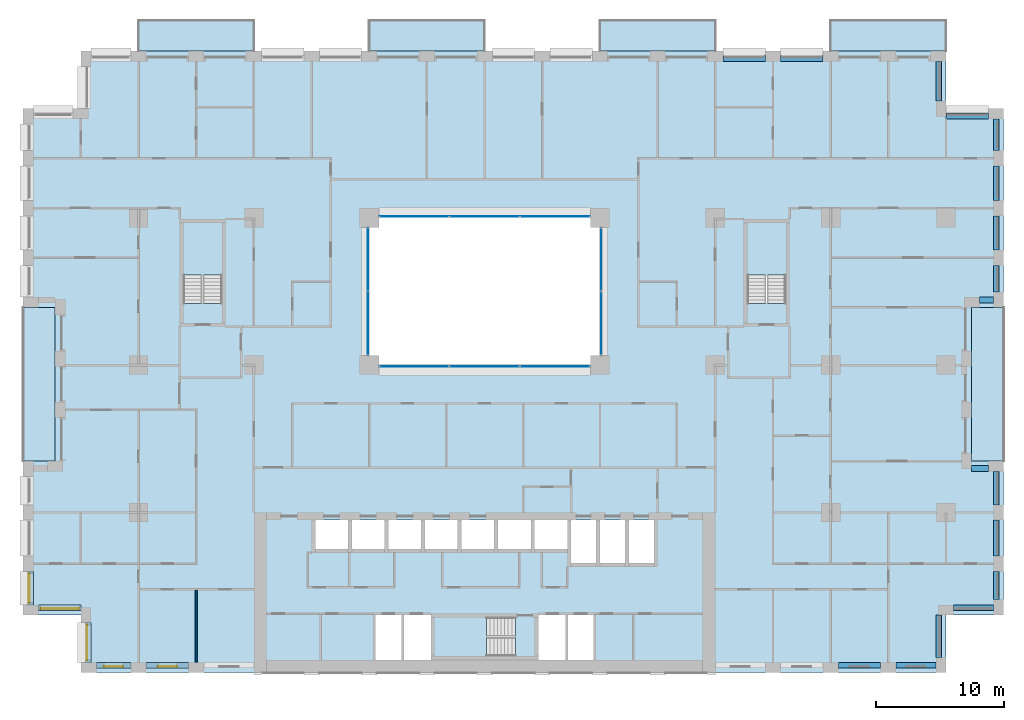
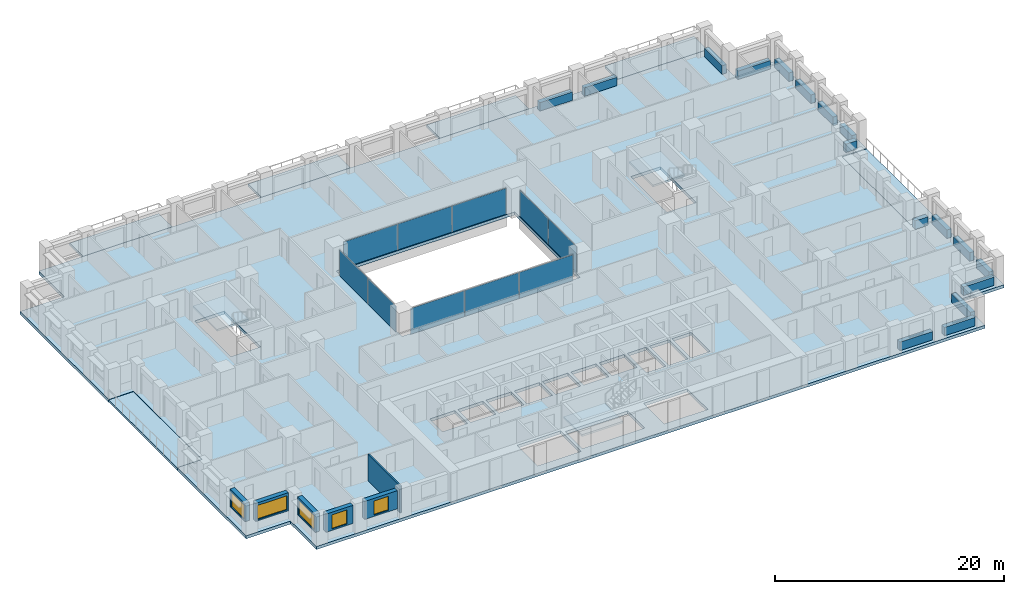
# One storey, part 8 of 19: 17 beams, 10 plates, 10 slabs, 6 walls, 5 windows, 5 openings, 7 elements without a shape of their own.
"""IFC4 building model written with IfcOpenShell, lengths in metres."""

from ifc_helpers import new_model, si_unit, direction, frame, frame_2d, origin, origin_2d, place, context, subcontext, project, spatial, polyline, rectangle, outline, extrude, material, layer, layer_set, material_profile, profile_set, type_object, element, fill, aggregate, save


model = new_model("IFC4")

# Units and contexts
model_context = context("Model", 3, precision=1e-05, world=origin(), true_north=direction((0.0, 1.0)))
body_context = subcontext(model_context, "Body", "Model", "MODEL_VIEW")
ifc_project = project(units=[si_unit("LENGTHUNIT", "METRE"), si_unit("AREAUNIT", "SQUARE_METRE"), si_unit("VOLUMEUNIT", "CUBIC_METRE"), si_unit("PLANEANGLEUNIT", "RADIAN"), si_unit("MASSUNIT", "GRAM", prefix="KILO")], contexts=[model_context])

# Site, building, storey
site_placement = place(None, origin())
site = spatial("IfcSite", under=ifc_project, at=site_placement, CompositionType="ELEMENT")
building_placement = place(site_placement, origin())
building = spatial("IfcBuilding", under=site, at=building_placement, Name="Brigalow Station Residences", CompositionType="ELEMENT")
storey_placement = place(building_placement, frame((0.0, 0.0, 25.800048828125)))
storey = spatial("IfcBuildingStorey", under=building, at=storey_placement, Name="L06", CompositionType="ELEMENT", Elevation=25.800048828125)

# Beams
ifc_material_1 = material(Name="Concrete C65", Category="concrete")
ifc_material_profile = material_profile(ifc_material_1, rectangle(XDim=0.449951171875, YDim=0.89990234375, at=origin_2d()), Name="RC450x900")
ifc_profile_set = profile_set([ifc_material_profile], Name="Concrete C65")
beam_type = type_object("IfcBeamType", Name="SPANDREL BEAM 450x900 C65", PredefinedType="SPANDREL", material=ifc_profile_set)
beam_1_placement = place(storey_placement, frame((63.60009765625, 0.574951171875, 0.449951171875), z_axis=(1.0, 0.0, 0.0), x_axis=(0.0, 1.0, 0.0)))
element("IfcBeam", 1, at=beam_1_placement, inside=storey, type_object=beam_type, Name="L06/spandrel/W-L06-7", PredefinedType="SPANDREL", context=body_context, shape_type="SweptSolid", body=[
    extrude(rectangle(XDim=0.449951171875, YDim=0.89990234375, at=origin_2d()), origin(), (0.0, 0.0, 1.0), 3.2998046875),
])
beam_2_placement = place(storey_placement, frame((68.10009765625, 0.574951171875, 0.449951171875), z_axis=(1.0, 0.0, 0.0), x_axis=(0.0, 1.0, 0.0)))
element("IfcBeam", 2, at=beam_2_placement, inside=storey, type_object=beam_type, Name="L06/spandrel/W-L06-8", PredefinedType="SPANDREL", context=body_context, shape_type="SweptSolid", body=[
    extrude(rectangle(XDim=0.449951171875, YDim=0.89990234375, at=origin_2d()), origin(), (0.0, 0.0, 1.0), 3.099853515625),
])
beam_3_placement = place(storey_placement, frame((71.425048828125, 1.199951171875, 0.449951171875), z_axis=(0.0, 1.0, 0.0), x_axis=(-1.0, 0.0, 0.0)))
element("IfcBeam", 3, at=beam_3_placement, inside=storey, type_object=beam_type, Name="L06/spandrel/W-L06-9", PredefinedType="SPANDREL", context=body_context, shape_type="SweptSolid", body=[
    extrude(rectangle(XDim=0.449951171875, YDim=0.89990234375, at=origin_2d()), origin(), (0.0, 0.0, 1.0), 3.300048828125),
])
beam_4_placement = place(storey_placement, frame((72.60009765625, 5.074951171875, 0.449951171875), z_axis=(1.0, 0.0, 0.0), x_axis=(0.0, 1.0, 0.0)))
element("IfcBeam", 4, at=beam_4_placement, inside=storey, type_object=beam_type, Name="L06/spandrel/W-L06-10", PredefinedType="SPANDREL", context=body_context, shape_type="SweptSolid", body=[
    extrude(rectangle(XDim=0.449951171875, YDim=0.89990234375, at=origin_2d()), origin(), (0.0, 0.0, 1.0), 3.099853515625),
])
beam_5_placement = place(storey_placement, frame((75.925048828125, 5.699951171875, 0.449951171875), z_axis=(0.0, 1.0, 0.0), x_axis=(-1.0, 0.0, 0.0)))
element("IfcBeam", 5, at=beam_5_placement, inside=storey, type_object=beam_type, Name="L06/spandrel/W-L06-11", PredefinedType="SPANDREL", context=body_context, shape_type="SweptSolid", body=[
    extrude(rectangle(XDim=0.449951171875, YDim=0.89990234375, at=origin_2d()), origin(), (0.0, 0.0, 1.0), 2.199951171875),
])
beam_6_placement = place(storey_placement, frame((75.925048828125, 9.10009765625, 0.449951171875), z_axis=(0.0, 1.0, 0.0), x_axis=(-1.0, 0.0, 0.0)))
element("IfcBeam", 6, at=beam_6_placement, inside=storey, type_object=beam_type, Name="L06/spandrel/W-L06-12", PredefinedType="SPANDREL", context=body_context, shape_type="SweptSolid", body=[
    extrude(rectangle(XDim=0.449951171875, YDim=0.89990234375, at=origin_2d()), origin(), (0.0, 0.0, 1.0), 2.7998046875),
])
beam_7_placement = place(storey_placement, frame((75.925048828125, 13.10009765625, 0.449951171875), z_axis=(0.0, 1.0, 0.0), x_axis=(-1.0, 0.0, 0.0)))
element("IfcBeam", 7, at=beam_7_placement, inside=storey, type_object=beam_type, Name="L06/spandrel/W-L06-13", PredefinedType="SPANDREL", context=body_context, shape_type="SweptSolid", body=[
    extrude(rectangle(XDim=0.449951171875, YDim=0.89990234375, at=origin_2d()), origin(), (0.0, 0.0, 1.0), 2.599853515625),
])
beam_8_placement = place(storey_placement, frame((75.300048828125, 15.925048828125, 0.449951171875), z_axis=(-1.0, 0.0, 0.0), x_axis=(0.0, -1.0, 0.0)))
element("IfcBeam", 8, at=beam_8_placement, inside=storey, type_object=beam_type, Name="L06/spandrel/W-L06-14", PredefinedType="SPANDREL", context=body_context, shape_type="SweptSolid", body=[
    extrude(rectangle(XDim=0.449951171875, YDim=0.89990234375, at=origin_2d()), origin(), (0.0, 0.0, 1.0), 1.300048828125),
])
beam_9_placement = place(storey_placement, frame((74.60009765625, 29.074951171875, 0.449951171875), z_axis=(1.0, 0.0, 0.0), x_axis=(0.0, 1.0, 0.0)))
element("IfcBeam", 9, at=beam_9_placement, inside=storey, type_object=beam_type, Name="L06/spandrel/W-L06-18", PredefinedType="SPANDREL", context=body_context, shape_type="SweptSolid", body=[
    extrude(rectangle(XDim=0.449951171875, YDim=0.89990234375, at=origin_2d()), origin(), (0.0, 0.0, 1.0), 1.099853515625),
])
beam_10_placement = place(storey_placement, frame((75.925048828125, 29.699951171875, 0.449951171875), z_axis=(0.0, 1.0, 0.0), x_axis=(-1.0, 0.0, 0.0)))
element("IfcBeam", 10, at=beam_10_placement, inside=storey, type_object=beam_type, Name="L06/spandrel/W-L06-19", PredefinedType="SPANDREL", context=body_context, shape_type="SweptSolid", body=[
    extrude(rectangle(XDim=0.449951171875, YDim=0.89990234375, at=origin_2d()), origin(), (0.0, 0.0, 1.0), 2.074951171875),
])
for number, where, z_axis, x_axis, name in (
    (11, (75.925048828125, 32.97509765625, 0.449951171875), (0.0, 1.0, 0.0), (-1.0, 0.0, 0.0), "L06/spandrel/W-L06-20"),
    (12, (75.925048828125, 36.85009765625, 0.449951171875), (0.0, 1.0, 0.0), (-1.0, 0.0, 0.0), "L06/spandrel/W-L06-21"),
):
    element("IfcBeam", number, at=place(storey_placement, frame(where, z_axis=z_axis, x_axis=x_axis)), inside=storey, type_object=beam_type, Name=name, PredefinedType="SPANDREL", context=body_context, shape_type="SweptSolid", body=[
        extrude(rectangle(XDim=0.449951171875, YDim=0.89990234375, at=origin_2d()), origin(), (0.0, 0.0, 1.0), 2.6748046875),
    ])
beam_11_placement = place(storey_placement, frame((75.925048828125, 40.72509765625, 0.449951171875), z_axis=(0.0, 1.0, 0.0), x_axis=(-1.0, 0.0, 0.0)))
element("IfcBeam", 13, at=beam_11_placement, inside=storey, type_object=beam_type, Name="L06/spandrel/W-L06-22", PredefinedType="SPANDREL", context=body_context, shape_type="SweptSolid", body=[
    extrude(rectangle(XDim=0.449951171875, YDim=0.89990234375, at=origin_2d()), origin(), (0.0, 0.0, 1.0), 2.474853515625),
])
beam_12_placement = place(storey_placement, frame((75.300048828125, 43.425048828125, 0.449951171875), z_axis=(-1.0, 0.0, 0.0), x_axis=(0.0, -1.0, 0.0)))
element("IfcBeam", 14, at=beam_12_placement, inside=storey, type_object=beam_type, Name="L06/spandrel/W-L06-23", PredefinedType="SPANDREL", context=body_context, shape_type="SweptSolid", body=[
    extrude(rectangle(XDim=0.449951171875, YDim=0.89990234375, at=origin_2d()), origin(), (0.0, 0.0, 1.0), 3.300048828125),
])
beam_13_placement = place(storey_placement, frame((71.425048828125, 44.60009765625, 0.449951171875), z_axis=(0.0, 1.0, 0.0), x_axis=(-1.0, 0.0, 0.0)))
element("IfcBeam", 15, at=beam_13_placement, inside=storey, type_object=beam_type, Name="L06/spandrel/W-L06-24", PredefinedType="SPANDREL", context=body_context, shape_type="SweptSolid", body=[
    extrude(rectangle(XDim=0.449951171875, YDim=0.89990234375, at=origin_2d()), origin(), (0.0, 0.0, 1.0), 3.099853515625),
])
for number, where, z_axis, x_axis, name in (
    (16, (62.39990234375, 47.925048828125, 0.449951171875), (-1.0, 0.0, 0.0), (0.0, -1.0, 0.0), "L06/spandrel/W-L06-27"),
    (17, (57.89990234375, 47.925048828125, 0.449951171875), (-1.0, 0.0, 0.0), (0.0, -1.0, 0.0), "L06/spandrel/W-L06-28"),
):
    element("IfcBeam", number, at=place(storey_placement, frame(where, z_axis=z_axis, x_axis=x_axis)), inside=storey, type_object=beam_type, Name=name, PredefinedType="SPANDREL", context=body_context, shape_type="SweptSolid", body=[
        extrude(rectangle(XDim=0.449951171875, YDim=0.89990234375, at=origin_2d()), origin(), (0.0, 0.0, 1.0), 3.2998046875),
    ])

# Curtain wall, plates
ifc_material_2 = material(Name="Aluminium", Category="aluminium")
ifc_layer_1 = layer(ifc_material_2, 0.14990234375)
ifc_layer_set_1 = layer_set([ifc_layer_1], Name="ATRIUM FIRE-RATED GLAZING CURTAIN WALL")
curtain_wall_type = type_object("IfcCurtainWallType", Name="ATRIUM FIRE-RATED GLAZING CURTAIN WALL", PredefinedType="NOTDEFINED", material=ifc_layer_set_1)
curtain_wall_1_placement = place(storey_placement, origin())
curtain_wall_1 = element("IfcCurtainWall", 18, at=curtain_wall_1_placement, inside=storey, type_object=curtain_wall_type, Name="L06/cw/atrium-S", PredefinedType="NOTDEFINED")
ifc_material_3 = material(Name="Fire-resisting laminated glazing, FRL -/60/-", Category="glass")
ifc_layer_2 = layer(ifc_material_3, 0.031982421875)
ifc_layer_set_2 = layer_set([ifc_layer_2], Name="ATRIUM FIRE-RATED GLAZING PANEL 32")
plate_type = type_object("IfcPlateType", Name="ATRIUM FIRE-RATED GLAZING PANEL 32", PredefinedType="CURTAIN_PANEL", material=ifc_layer_set_2)
plate_1_placement = place(storey_placement, frame((30.514892578125, 23.89990234375, 0.0), z_axis=(0.0, 0.0, 1.0), x_axis=(1.0, 0.0, 0.0)))
plate_1 = element("IfcPlate", 19, at=plate_1_placement, type_object=plate_type, Name="L06/cw/atrium-S/P00-00", PredefinedType="CURTAIN_PANEL", context=body_context, shape_type="SweptSolid", body=[
    extrude(rectangle(XDim=5.409912109375, YDim=0.031982421875, at=origin_2d()), origin(), (0.0, 0.0, 1.0), 2.77001953125),
])
plate_2_placement = place(storey_placement, frame((36.0, 23.89990234375, 0.0), z_axis=(0.0, 0.0, 1.0), x_axis=(1.0, 0.0, 0.0)))
plate_2 = element("IfcPlate", 20, at=plate_2_placement, type_object=plate_type, Name="L06/cw/atrium-S/P01-00", PredefinedType="CURTAIN_PANEL", context=body_context, shape_type="SweptSolid", body=[
    extrude(rectangle(XDim=5.43994140625, YDim=0.031982421875, at=origin_2d()), origin(), (0.0, 0.0, 1.0), 2.77001953125),
])
plate_3_placement = place(storey_placement, frame((41.485107421875, 23.89990234375, 0.0), z_axis=(0.0, 0.0, 1.0), x_axis=(1.0, 0.0, 0.0)))
plate_3 = element("IfcPlate", 21, at=plate_3_placement, type_object=plate_type, Name="L06/cw/atrium-S/P02-00", PredefinedType="CURTAIN_PANEL", context=body_context, shape_type="SweptSolid", body=[
    extrude(rectangle(XDim=5.409912109375, YDim=0.031982421875, at=origin_2d()), origin(), (0.0, 0.0, 1.0), 2.77001953125),
])
aggregate(curtain_wall_1, [plate_1, plate_2, plate_3])

curtain_wall_2_placement = place(storey_placement, origin())
curtain_wall_2 = element("IfcCurtainWall", 22, at=curtain_wall_2_placement, inside=storey, type_object=curtain_wall_type, Name="L06/cw/atrium-E", PredefinedType="NOTDEFINED")
plate_4_placement = place(storey_placement, frame((45.10009765625, 27.264892578125, 0.0), z_axis=(0.0, 0.0, 1.0), x_axis=(0.0, 1.0, 0.0)))
plate_4 = element("IfcPlate", 23, at=plate_4_placement, type_object=plate_type, Name="L06/cw/atrium-E/P00-00", PredefinedType="CURTAIN_PANEL", context=body_context, shape_type="SweptSolid", body=[
    extrude(rectangle(XDim=4.909912109375, YDim=0.031982421875, at=origin_2d()), origin(), (0.0, 0.0, 1.0), 2.77001953125),
])
plate_5_placement = place(storey_placement, frame((45.10009765625, 32.235107421875, 0.0), z_axis=(0.0, 0.0, 1.0), x_axis=(0.0, 1.0, 0.0)))
plate_5 = element("IfcPlate", 24, at=plate_5_placement, type_object=plate_type, Name="L06/cw/atrium-E/P01-00", PredefinedType="CURTAIN_PANEL", context=body_context, shape_type="SweptSolid", body=[
    extrude(rectangle(XDim=4.909912109375, YDim=0.031982421875, at=origin_2d()), origin(), (0.0, 0.0, 1.0), 2.77001953125),
])
aggregate(curtain_wall_2, [plate_4, plate_5])

curtain_wall_3_placement = place(storey_placement, origin())
curtain_wall_3 = element("IfcCurtainWall", 25, at=curtain_wall_3_placement, inside=storey, type_object=curtain_wall_type, Name="L06/cw/atrium-N", PredefinedType="NOTDEFINED")
plate_6_placement = place(storey_placement, frame((41.485107421875, 35.60009765625, 0.0), z_axis=(0.0, 0.0, 1.0), x_axis=(-1.0, 0.0, 0.0)))
plate_6 = element("IfcPlate", 26, at=plate_6_placement, type_object=plate_type, Name="L06/cw/atrium-N/P00-00", PredefinedType="CURTAIN_PANEL", context=body_context, shape_type="SweptSolid", body=[
    extrude(rectangle(XDim=5.409912109375, YDim=0.031982421875, at=origin_2d()), origin(), (0.0, 0.0, 1.0), 2.77001953125),
])
plate_7_placement = place(storey_placement, frame((36.0, 35.60009765625, 0.0), z_axis=(0.0, 0.0, 1.0), x_axis=(-1.0, 0.0, 0.0)))
plate_7 = element("IfcPlate", 27, at=plate_7_placement, type_object=plate_type, Name="L06/cw/atrium-N/P01-00", PredefinedType="CURTAIN_PANEL", context=body_context, shape_type="SweptSolid", body=[
    extrude(rectangle(XDim=5.43994140625, YDim=0.031982421875, at=origin_2d()), origin(), (0.0, 0.0, 1.0), 2.77001953125),
])
plate_8_placement = place(storey_placement, frame((30.514892578125, 35.60009765625, 0.0), z_axis=(0.0, 0.0, 1.0), x_axis=(-1.0, 0.0, 0.0)))
plate_8 = element("IfcPlate", 28, at=plate_8_placement, type_object=plate_type, Name="L06/cw/atrium-N/P02-00", PredefinedType="CURTAIN_PANEL", context=body_context, shape_type="SweptSolid", body=[
    extrude(rectangle(XDim=5.409912109375, YDim=0.031982421875, at=origin_2d()), origin(), (0.0, 0.0, 1.0), 2.77001953125),
])
aggregate(curtain_wall_3, [plate_6, plate_7, plate_8])

curtain_wall_4_placement = place(storey_placement, origin())
curtain_wall_4 = element("IfcCurtainWall", 29, at=curtain_wall_4_placement, inside=storey, type_object=curtain_wall_type, Name="L06/cw/atrium-W", PredefinedType="NOTDEFINED")
plate_9_placement = place(storey_placement, frame((26.89990234375, 32.235107421875, 0.0), z_axis=(0.0, 0.0, 1.0), x_axis=(0.0, -1.0, 0.0)))
plate_9 = element("IfcPlate", 30, at=plate_9_placement, type_object=plate_type, Name="L06/cw/atrium-W/P00-00", PredefinedType="CURTAIN_PANEL", context=body_context, shape_type="SweptSolid", body=[
    extrude(rectangle(XDim=4.909912109375, YDim=0.031982421875, at=origin_2d()), origin(), (0.0, 0.0, 1.0), 2.77001953125),
])
plate_10_placement = place(storey_placement, frame((26.89990234375, 27.264892578125, 0.0), z_axis=(0.0, 0.0, 1.0), x_axis=(0.0, -1.0, 0.0)))
plate_10 = element("IfcPlate", 31, at=plate_10_placement, type_object=plate_type, Name="L06/cw/atrium-W/P01-00", PredefinedType="CURTAIN_PANEL", context=body_context, shape_type="SweptSolid", body=[
    extrude(rectangle(XDim=4.909912109375, YDim=0.031982421875, at=origin_2d()), origin(), (0.0, 0.0, 1.0), 2.77001953125),
])
aggregate(curtain_wall_4, [plate_9, plate_10])

# Slabs
ifc_material_4 = material(Name="Concrete C50 precast", Category="concrete")
ifc_layer_3 = layer(ifc_material_4, 0.25)
ifc_layer_set_3 = layer_set([ifc_layer_3], Name="BALCONY SLAB 250")
slab_type_1 = type_object("IfcSlabType", Name="BALCONY SLAB 250", PredefinedType="USERDEFINED", material=ifc_layer_set_3)
slab_1_placement = place(storey_placement, frame((0.0, 0.0, -0.2900390625)))
element("IfcSlab", 32, at=slab_1_placement, inside=storey, type_object=slab_type_1, Name="L06/balcony/1", ObjectType="BALCONY", PredefinedType="USERDEFINED", context=body_context, shape_type="SweptSolid", body=[
    extrude(outline(polyline([(74.0, 16.5), (76.5, 16.5), (76.5, 28.5), (74.0, 28.5), (74.0, 16.5)])), origin(), (0.0, 0.0, 1.0), 0.25),
])
slab_2_placement = place(storey_placement, frame((0.0, 0.0, -0.2900390625)))
element("IfcSlab", 33, at=slab_2_placement, inside=storey, type_object=slab_type_1, Name="L06/balcony/2", ObjectType="BALCONY", PredefinedType="USERDEFINED", context=body_context, shape_type="SweptSolid", body=[
    extrude(outline(polyline([(72.0, 48.5), (72.0, 50.89990234375), (63.0, 50.89990234375), (63.0, 48.5), (72.0, 48.5)])), origin(), (0.0, 0.0, 1.0), 0.25),
])
slab_3_placement = place(storey_placement, frame((0.0, 0.0, -0.2900390625)))
element("IfcSlab", 34, at=slab_3_placement, inside=storey, type_object=slab_type_1, Name="L06/balcony/3", ObjectType="BALCONY", PredefinedType="USERDEFINED", context=body_context, shape_type="SweptSolid", body=[
    extrude(outline(polyline([(54.0, 48.5), (54.0, 50.89990234375), (45.0, 50.89990234375), (45.0, 48.5), (54.0, 48.5)])), origin(), (0.0, 0.0, 1.0), 0.25),
])
slab_4_placement = place(storey_placement, frame((0.0, 0.0, -0.2900390625)))
element("IfcSlab", 35, at=slab_4_placement, inside=storey, type_object=slab_type_1, Name="L06/balcony/4", ObjectType="BALCONY", PredefinedType="USERDEFINED", context=body_context, shape_type="SweptSolid", body=[
    extrude(outline(polyline([(36.0, 48.5), (36.0, 50.89990234375), (27.0, 50.89990234375), (27.0, 48.5), (36.0, 48.5)])), origin(), (0.0, 0.0, 1.0), 0.25),
])
slab_5_placement = place(storey_placement, frame((0.0, 0.0, -0.2900390625)))
element("IfcSlab", 36, at=slab_5_placement, inside=storey, type_object=slab_type_1, Name="L06/balcony/5", ObjectType="BALCONY", PredefinedType="USERDEFINED", context=body_context, shape_type="SweptSolid", body=[
    extrude(outline(polyline([(18.0, 48.5), (18.0, 50.89990234375), (9.0, 50.89990234375), (9.0, 48.5), (18.0, 48.5)])), origin(), (0.0, 0.0, 1.0), 0.25),
])
slab_6_placement = place(storey_placement, frame((0.0, 0.0, -0.2900390625)))
element("IfcSlab", 37, at=slab_6_placement, inside=storey, type_object=slab_type_1, Name="L06/balcony/6", ObjectType="BALCONY", PredefinedType="USERDEFINED", context=body_context, shape_type="SweptSolid", body=[
    extrude(outline(polyline([(2.5, 28.5), (0.0, 28.5), (0.0, 16.5), (2.5, 16.5), (2.5, 28.5)])), origin(), (0.0, 0.0, 1.0), 0.25),
])
ifc_material_5 = material(Name="Concrete C50", Category="concrete")
ifc_layer_4 = layer(ifc_material_5, 0.320068359375)
ifc_layer_set_4 = layer_set([ifc_layer_4], Name="POST-TENSIONED FLAT PLATE 320 C50")
slab_type_2 = type_object("IfcSlabType", Name="POST-TENSIONED FLAT PLATE 320 C50", PredefinedType="FLOOR", material=ifc_layer_set_4)
slab_7_placement = place(storey_placement, frame((0.0, 0.0, -0.320068359375)))
element("IfcSlab", 38, at=slab_7_placement, inside=storey, type_object=slab_type_2, Name="FLOOR SLAB L06", PredefinedType="FLOOR", context=body_context, shape_type="SweptSolid", body=[
    extrude(outline(polyline([(4.5, 0.0), (72.0, 0.0), (72.0, 4.5), (76.5, 4.5), (76.5, 16.5), (74.0, 16.5), (74.0, 28.5), (76.5, 28.5), (76.5, 44.0), (72.0, 44.0), (72.0, 48.5), (4.5, 48.5), (4.5, 44.0), (0.0, 44.0), (0.0, 28.5), (2.5, 28.5), (2.5, 16.5), (0.0, 16.5), (0.0, 4.5), (4.5, 4.5), (4.5, 0.0)]), holes=[polyline([(15.4951171875, 35.094970703125), (15.4951171875, 28.804931640625), (12.5048828125, 28.804931640625), (12.5048828125, 35.094970703125), (15.4951171875, 35.094970703125)]), polyline([(22.800048828125, 11.89990234375), (25.35009765625, 11.89990234375), (25.35009765625, 9.64990234375), (22.800048828125, 9.64990234375), (22.800048828125, 11.89990234375)]), polyline([(25.64990234375, 11.89990234375), (28.199951171875, 11.89990234375), (28.199951171875, 9.64990234375), (25.64990234375, 9.64990234375), (25.64990234375, 11.89990234375)]), polyline([(28.5, 11.89990234375), (31.050048828125, 11.89990234375), (31.050048828125, 9.64990234375), (28.5, 9.64990234375), (28.5, 11.89990234375)]), polyline([(29.60009765625, 1.0), (27.39990234375, 1.0), (27.39990234375, 4.60009765625), (29.60009765625, 4.60009765625), (31.800048828125, 4.60009765625), (31.800048828125, 1.0), (29.60009765625, 1.0)]), polyline([(31.35009765625, 11.89990234375), (33.89990234375, 11.89990234375), (33.89990234375, 9.64990234375), (31.35009765625, 9.64990234375), (31.35009765625, 11.89990234375)]), polyline([(32.10498046875, 4.294921875), (38.39501953125, 4.294921875), (38.39501953125, 1.304931640625), (32.10498046875, 1.304931640625), (32.10498046875, 4.294921875)]), polyline([(36.75, 11.89990234375), (36.75, 9.64990234375), (34.199951171875, 9.64990234375), (34.199951171875, 11.89990234375), (36.75, 11.89990234375)]), polyline([(37.050048828125, 11.89990234375), (39.60009765625, 11.89990234375), (39.60009765625, 9.64990234375), (37.050048828125, 9.64990234375), (37.050048828125, 11.89990234375)]), polyline([(39.89990234375, 11.89990234375), (42.449951171875, 11.89990234375), (42.449951171875, 9.64990234375), (39.89990234375, 9.64990234375), (39.89990234375, 11.89990234375)]), polyline([(42.39990234375, 1.0), (40.199951171875, 1.0), (40.199951171875, 4.60009765625), (42.39990234375, 4.60009765625), (44.60009765625, 4.60009765625), (44.60009765625, 1.0), (42.39990234375, 1.0)]), polyline([(42.75, 11.89990234375), (44.699951171875, 11.89990234375), (44.699951171875, 8.550048828125), (42.75, 8.550048828125), (42.75, 11.89990234375)]), polyline([(45.0, 11.89990234375), (46.949951171875, 11.89990234375), (46.949951171875, 8.550048828125), (45.0, 8.550048828125), (45.0, 11.89990234375)]), polyline([(45.0, 35.5), (45.0, 24.0), (27.0, 24.0), (27.0, 35.5), (45.0, 35.5)]), polyline([(47.25, 11.89990234375), (49.199951171875, 11.89990234375), (49.199951171875, 8.550048828125), (47.25, 8.550048828125), (47.25, 11.89990234375)]), polyline([(59.4951171875, 35.094970703125), (59.4951171875, 28.804931640625), (56.5048828125, 28.804931640625), (56.5048828125, 35.094970703125), (59.4951171875, 35.094970703125)])]), origin(), (0.0, 0.0, 1.0), 0.320068359375),
])

# Stair, slab
ifc_material_6 = material(Name="Concrete C50", Category="concrete")
stair_type = type_object("IfcStairType", Name="EXIT STAIR 1400 2 FLIGHT", PredefinedType="HALF_TURN_STAIR", material=ifc_material_6)
stair_1_placement = place(storey_placement, origin())
stair_1 = element("IfcStair", 39, at=stair_1_placement, inside=storey, type_object=stair_type, Name="EXIT STAIR S2 L06", PredefinedType="HALF_TURN_STAIR")
ifc_material_7 = material(Name="Concrete C50", Category="concrete")
ifc_layer_5 = layer(ifc_material_7, 0.199951171875)
ifc_layer_set_5 = layer_set([ifc_layer_5], Name="STAIR LANDING 200")
slab_type_3 = type_object("IfcSlabType", Name="STAIR LANDING 200", PredefinedType="LANDING", material=ifc_layer_set_5)
slab_8_placement = place(storey_placement, frame((0.0, 0.0, 1.375)))
slab_8 = element("IfcSlab", 40, at=slab_8_placement, type_object=slab_type_3, Name="ST-2 landing 1", PredefinedType="LANDING", context=body_context, shape_type="SweptSolid", body=[
    extrude(outline(polyline([(32.0, 1.199951171875), (36.159912109375, 1.199951171875), (36.159912109375, 4.39990234375), (32.0, 4.39990234375), (32.0, 1.199951171875)])), origin(), (0.0, 0.0, 1.0), 0.199951171875),
])
aggregate(stair_1, [slab_8])

stair_2_placement = place(storey_placement, origin())
stair_2 = element("IfcStair", 41, at=stair_2_placement, inside=storey, type_object=stair_type, Name="EXIT STAIR S1 L06", PredefinedType="HALF_TURN_STAIR")
slab_9_placement = place(storey_placement, frame((0.0, 0.0, 1.375)))
slab_9 = element("IfcSlab", 42, at=slab_9_placement, type_object=slab_type_3, Name="ST-1 landing 1", PredefinedType="LANDING", context=body_context, shape_type="SweptSolid", body=[
    extrude(outline(polyline([(12.39990234375, 31.0400390625), (15.60009765625, 31.0400390625), (15.60009765625, 35.199951171875), (12.39990234375, 35.199951171875), (12.39990234375, 31.0400390625)])), origin(), (0.0, 0.0, 1.0), 0.199951171875),
])
aggregate(stair_2, [slab_9])

stair_3_placement = place(storey_placement, origin())
stair_3 = element("IfcStair", 43, at=stair_3_placement, inside=storey, type_object=stair_type, Name="EXIT STAIR S3 L06", PredefinedType="HALF_TURN_STAIR")
slab_10_placement = place(storey_placement, frame((0.0, 0.0, 1.375)))
slab_10 = element("IfcSlab", 44, at=slab_10_placement, type_object=slab_type_3, Name="ST-3 landing 1", PredefinedType="LANDING", context=body_context, shape_type="SweptSolid", body=[
    extrude(outline(polyline([(56.39990234375, 31.0400390625), (59.60009765625, 31.0400390625), (59.60009765625, 35.199951171875), (56.39990234375, 35.199951171875), (56.39990234375, 31.0400390625)])), origin(), (0.0, 0.0, 1.0), 0.199951171875),
])
aggregate(stair_3, [slab_10])

# Wall, opening, window
ifc_material_8 = material(Name="Clay brick masonry", Category="masonry")
ifc_layer_6 = layer(ifc_material_8, 0.449951171875)
ifc_layer_set_6 = layer_set([ifc_layer_6], Name="BRICK INFILL WALL 450")
wall_type_1 = type_object("IfcWallType", Name="BRICK INFILL WALL 450", PredefinedType="SOLIDWALL", material=ifc_layer_set_6)
wall_1_placement = place(storey_placement, frame((5.699951171875, 0.574951171875, 0.89990234375), z_axis=(0.0, 0.0, 1.0), x_axis=(1.0, 0.0, 0.0)))
wall_1 = element("IfcWall", 45, at=wall_1_placement, inside=storey, type_object=wall_type_1, Name="L06/ewall/W-L06-1", PredefinedType="SOLIDWALL", context=body_context, shape_type="SweptSolid", body=[
    extrude(rectangle(XDim=2.699951171875, YDim=0.449951171875, at=frame_2d((1.35009765625, 0.0))), origin(), (0.0, 0.0, 1.0), 1.929931640625),
])
opening_1_placement = place(wall_1_placement, frame((0.60009765625, 0.0, 0.14990234375)))
opening_1 = element("IfcOpeningElement", 46, at=opening_1_placement, cuts=wall_1, Name="Opening WT-1", PredefinedType="OPENING", context=body_context, shape_type="SweptSolid", body=[
    extrude(rectangle(XDim=1.5, YDim=1.5, at=frame_2d((0.75, 0.75))), frame((0.0, 0.23486328125, 0.0), z_axis=(0.0, -1.0, 0.0), x_axis=(1.0, 0.0, 0.0)), (0.0, 0.0, 1.0), 0.469970703125),
])
ifc_material_9 = material(Name="Anodised aluminium frame with double glazing", Category="aluminium")
window_type_1 = type_object("IfcWindowType", Name="WINDOW 1500x1500", PartitioningType="SINGLE_PANEL", PredefinedType="WINDOW", material=ifc_material_9)
window_1_placement = place(opening_1_placement, origin())
window_1 = element("IfcWindow", 47, at=window_1_placement, inside=storey, type_object=window_type_1, Name="L06/window/W-L06-1", OverallHeight=1.5, OverallWidth=1.5, PartitioningType="SINGLE_PANEL", PredefinedType="WINDOW", context=body_context, shape_type="SweptSolid", body=[
    extrude(rectangle(XDim=1.5, YDim=1.5, at=frame_2d((0.75, 0.75))), frame((0.0, -0.06494140625, 0.0), z_axis=(0.0, -1.0, 0.0), x_axis=(1.0, 0.0, 0.0)), (0.0, 0.0, 1.0), 0.06005859375),
])
fill(opening_1, window_1)

wall_2_placement = place(storey_placement, frame((9.60009765625, 0.574951171875, 0.89990234375), z_axis=(0.0, 0.0, 1.0), x_axis=(1.0, 0.0, 0.0)))
wall_2 = element("IfcWall", 48, at=wall_2_placement, inside=storey, type_object=wall_type_1, Name="L06/ewall/W-L06-2", PredefinedType="SOLIDWALL", context=body_context, shape_type="SweptSolid", body=[
    extrude(rectangle(XDim=3.2998046875, YDim=0.449951171875, at=frame_2d((1.64990234375, 0.0))), origin(), (0.0, 0.0, 1.0), 1.929931640625),
])
opening_2_placement = place(wall_2_placement, frame((0.89990234375, 0.0, 0.14990234375)))
opening_2 = element("IfcOpeningElement", 49, at=opening_2_placement, cuts=wall_2, Name="Opening WT-1", PredefinedType="OPENING", context=body_context, shape_type="SweptSolid", body=[
    extrude(rectangle(XDim=1.5, YDim=1.5, at=frame_2d((0.75, 0.75))), frame((0.0, 0.23486328125, 0.0), z_axis=(0.0, -1.0, 0.0), x_axis=(1.0, 0.0, 0.0)), (0.0, 0.0, 1.0), 0.469970703125),
])
window_2_placement = place(opening_2_placement, origin())
window_2 = element("IfcWindow", 50, at=window_2_placement, inside=storey, type_object=window_type_1, Name="L06/window/W-L06-2", OverallHeight=1.5, OverallWidth=1.5, PartitioningType="SINGLE_PANEL", PredefinedType="WINDOW", context=body_context, shape_type="SweptSolid", body=[
    extrude(rectangle(XDim=1.5, YDim=1.5, at=frame_2d((0.75, 0.75))), frame((0.0, -0.06494140625, 0.0), z_axis=(0.0, -1.0, 0.0), x_axis=(1.0, 0.0, 0.0)), (0.0, 0.0, 1.0), 0.06005859375),
])
fill(opening_2, window_2)

wall_3_placement = place(storey_placement, frame((0.574951171875, 7.89990234375, 0.89990234375), z_axis=(0.0, 0.0, 1.0), x_axis=(0.0, -1.0, 0.0)))
wall_3 = element("IfcWall", 51, at=wall_3_placement, inside=storey, type_object=wall_type_1, Name="L06/ewall/W-L06-53", PredefinedType="SOLIDWALL", context=body_context, shape_type="SweptSolid", body=[
    extrude(rectangle(XDim=2.599853515625, YDim=0.449951171875, at=frame_2d((1.2998046875, 0.0))), origin(), (0.0, 0.0, 1.0), 1.929931640625),
])
opening_3_placement = place(wall_3_placement, frame((0.175048828125, 0.0, 0.14990234375)))
opening_3 = element("IfcOpeningElement", 52, at=opening_3_placement, cuts=wall_3, Name="Opening WT-6", PredefinedType="OPENING", context=body_context, shape_type="SweptSolid", body=[
    extrude(rectangle(XDim=2.25, YDim=1.5, at=frame_2d((1.125, 0.75))), frame((0.0, 0.23486328125, 0.0), z_axis=(0.0, -1.0, 0.0), x_axis=(1.0, 0.0, 0.0)), (0.0, 0.0, 1.0), 0.469970703125),
])
ifc_material_10 = material(Name="Anodised aluminium frame with double glazing", Category="aluminium")
window_type_2 = type_object("IfcWindowType", Name="WINDOW 2250x1500", PartitioningType="SINGLE_PANEL", PredefinedType="WINDOW", material=ifc_material_10)
window_3_placement = place(opening_3_placement, origin())
window_3 = element("IfcWindow", 53, at=window_3_placement, inside=storey, type_object=window_type_2, Name="L06/window/W-L06-53", OverallHeight=1.5, OverallWidth=2.25, PartitioningType="SINGLE_PANEL", PredefinedType="WINDOW", context=body_context, shape_type="SweptSolid", body=[
    extrude(rectangle(XDim=2.25, YDim=1.5, at=frame_2d((1.125, 0.75))), frame((0.0, -0.06494140625, 0.0), z_axis=(0.0, -1.0, 0.0), x_axis=(1.0, 0.0, 0.0)), (0.0, 0.0, 1.0), 0.06005859375),
])
fill(opening_3, window_3)

wall_4_placement = place(storey_placement, frame((1.199951171875, 5.074951171875, 0.89990234375), z_axis=(0.0, 0.0, 1.0), x_axis=(1.0, 0.0, 0.0)))
wall_4 = element("IfcWall", 54, at=wall_4_placement, inside=storey, type_object=wall_type_1, Name="L06/ewall/W-L06-54", PredefinedType="SOLIDWALL", context=body_context, shape_type="SweptSolid", body=[
    extrude(rectangle(XDim=3.300048828125, YDim=0.449951171875, at=frame_2d((1.64990234375, 0.0))), origin(), (0.0, 0.0, 1.0), 1.929931640625),
])
opening_4_placement = place(wall_4_placement, frame((0.14990234375, 0.0, 0.14990234375)))
opening_4 = element("IfcOpeningElement", 55, at=opening_4_placement, cuts=wall_4, Name="Opening WT-2", PredefinedType="OPENING", context=body_context, shape_type="SweptSolid", body=[
    extrude(rectangle(XDim=3.0, YDim=1.5, at=frame_2d((1.5, 0.75))), frame((0.0, 0.23486328125, 0.0), z_axis=(0.0, -1.0, 0.0), x_axis=(1.0, 0.0, 0.0)), (0.0, 0.0, 1.0), 0.469970703125),
])
ifc_material_11 = material(Name="Anodised aluminium frame with double glazing", Category="aluminium")
window_type_3 = type_object("IfcWindowType", Name="WINDOW 3000x1500", PartitioningType="SINGLE_PANEL", PredefinedType="WINDOW", material=ifc_material_11)
window_4_placement = place(opening_4_placement, origin())
window_4 = element("IfcWindow", 56, at=window_4_placement, inside=storey, type_object=window_type_3, Name="L06/window/W-L06-54", OverallHeight=1.5, OverallWidth=3.0, PartitioningType="SINGLE_PANEL", PredefinedType="WINDOW", context=body_context, shape_type="SweptSolid", body=[
    extrude(rectangle(XDim=3.0, YDim=1.5, at=frame_2d((1.5, 0.75))), frame((0.0, -0.06494140625, 0.0), z_axis=(0.0, -1.0, 0.0), x_axis=(1.0, 0.0, 0.0)), (0.0, 0.0, 1.0), 0.06005859375),
])
fill(opening_4, window_4)

wall_5_placement = place(storey_placement, frame((5.074951171875, 3.89990234375, 0.89990234375), z_axis=(0.0, 0.0, 1.0), x_axis=(0.0, -1.0, 0.0)))
wall_5 = element("IfcWall", 57, at=wall_5_placement, inside=storey, type_object=wall_type_1, Name="L06/ewall/W-L06-55", PredefinedType="SOLIDWALL", context=body_context, shape_type="SweptSolid", body=[
    extrude(rectangle(XDim=3.099853515625, YDim=0.449951171875, at=frame_2d((1.5498046875, 0.0))), origin(), (0.0, 0.0, 1.0), 1.929931640625),
])
opening_5_placement = place(wall_5_placement, frame((0.175048828125, 0.0, 0.14990234375)))
opening_5 = element("IfcOpeningElement", 58, at=opening_5_placement, cuts=wall_5, Name="Opening WT-3", PredefinedType="OPENING", context=body_context, shape_type="SweptSolid", body=[
    extrude(rectangle(XDim=2.75, YDim=1.5, at=frame_2d((1.375, 0.75))), frame((0.0, 0.23486328125, 0.0), z_axis=(0.0, -1.0, 0.0), x_axis=(1.0, 0.0, 0.0)), (0.0, 0.0, 1.0), 0.469970703125),
])
ifc_material_12 = material(Name="Anodised aluminium frame with double glazing", Category="aluminium")
window_type_4 = type_object("IfcWindowType", Name="WINDOW 2750x1500", PartitioningType="SINGLE_PANEL", PredefinedType="WINDOW", material=ifc_material_12)
window_5_placement = place(opening_5_placement, origin())
window_5 = element("IfcWindow", 59, at=window_5_placement, inside=storey, type_object=window_type_4, Name="L06/window/W-L06-55", OverallHeight=1.5, OverallWidth=2.75, PartitioningType="SINGLE_PANEL", PredefinedType="WINDOW", context=body_context, shape_type="SweptSolid", body=[
    extrude(rectangle(XDim=2.75, YDim=1.5, at=frame_2d((1.375, 0.75))), frame((0.0, -0.06494140625, 0.0), z_axis=(0.0, -1.0, 0.0), x_axis=(1.0, 0.0, 0.0)), (0.0, 0.0, 1.0), 0.06005859375),
])
fill(opening_5, window_5)

# Wall
ifc_material_13 = material(Name="Plasterboard on steel stud partition", Category="steel")
ifc_layer_7 = layer(ifc_material_13, 0.14990234375)
ifc_layer_set_7 = layer_set([ifc_layer_7], Name="FLAT PARTITION 150")
wall_type_2 = type_object("IfcWallType", Name="FLAT PARTITION 150", PredefinedType="PARTITIONING", material=ifc_layer_set_7)
wall_6_placement = place(storey_placement, frame((13.5, 0.800048828125, 0.0), z_axis=(0.0, 0.0, 1.0), x_axis=(0.0, 1.0, 0.0)))
element("IfcWall", 60, at=wall_6_placement, inside=storey, type_object=wall_type_2, Name="PW-1A53", PredefinedType="PARTITIONING", context=body_context, shape_type="SweptSolid", body=[
    extrude(rectangle(XDim=5.625, YDim=0.14990234375, at=frame_2d((2.8125, 0.0))), origin(), (0.0, 0.0, 1.0), 2.829833984375),
])

save(model, "model.ifc")
